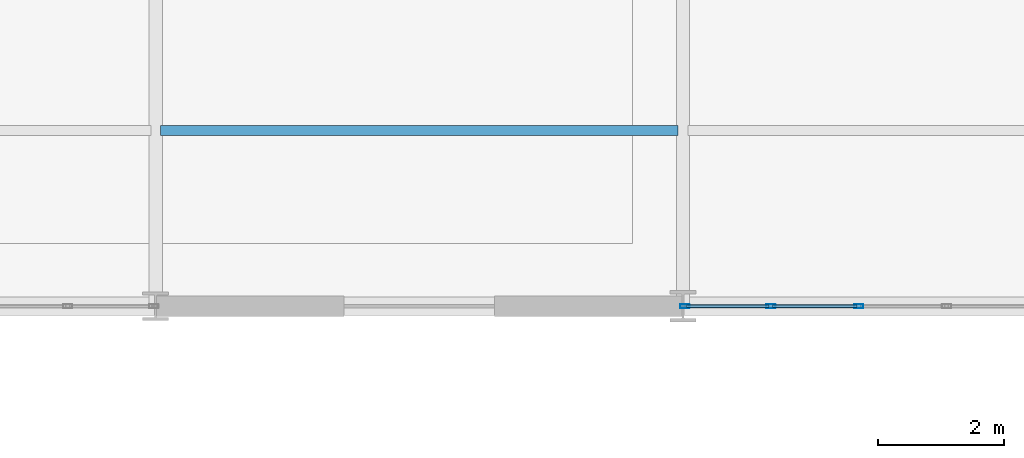
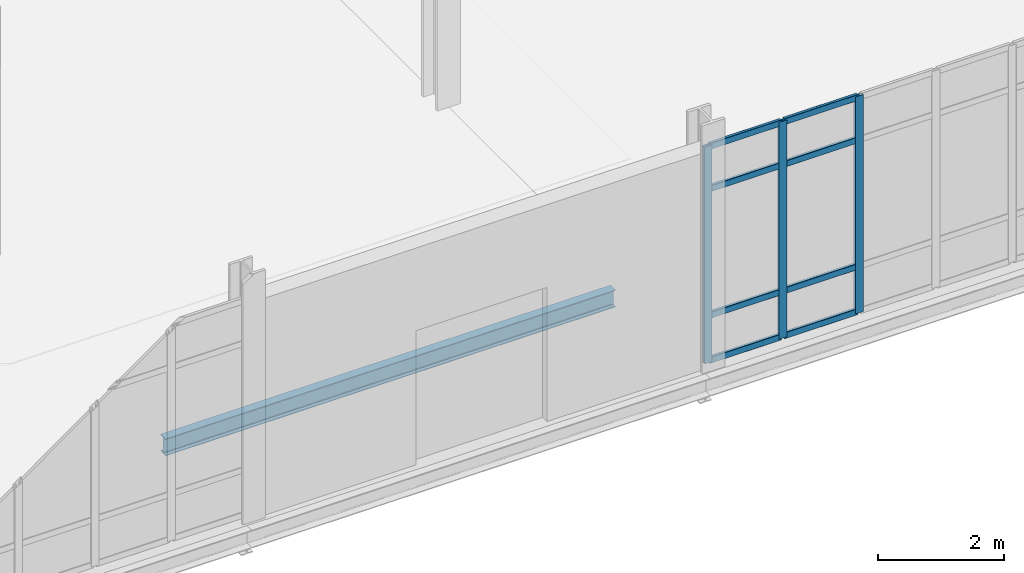
# One storey, part 78 of 145: 11 members, 1 beam, 1 element without a shape of its own.
"""IFC4 building model written with IfcOpenShell, lengths in metres."""

from ifc_helpers import new_model, si_unit, direction, frame, origin, origin_2d, place, context, subcontext, project, spatial, hollow_rectangle, i_section, extrude, material, layer, layer_set, material_profile, profile_set, type_object, element, aggregate, save


model = new_model("IFC4")

# Units and contexts
model_context = context("Model", 3, precision=1e-05, world=origin(), true_north=direction((0.0, 1.0)))
body_context = subcontext(model_context, "Body", "Model", "MODEL_VIEW")
ifc_project = project(units=[si_unit("LENGTHUNIT", "METRE"), si_unit("AREAUNIT", "SQUARE_METRE"), si_unit("VOLUMEUNIT", "CUBIC_METRE"), si_unit("PLANEANGLEUNIT", "RADIAN"), si_unit("MASSUNIT", "GRAM", prefix="KILO")], contexts=[model_context])

# Site, building, storey
site_placement = place(None, origin())
site = spatial("IfcSite", under=ifc_project, at=site_placement, CompositionType="ELEMENT")
building_placement = place(site_placement, origin())
building = spatial("IfcBuilding", under=site, at=building_placement, Name="Qalvenar Corner Mobility Hub", CompositionType="ELEMENT")
storey_placement = place(building_placement, origin())
storey = spatial("IfcBuildingStorey", under=building, at=storey_placement, Name="L00", CompositionType="ELEMENT", Elevation=0.0)

# Beam
ifc_material_1 = material(Name="Steel S355", Category="steel")
ifc_material_profile_1 = material_profile(ifc_material_1, i_section(OverallWidth=0.159912109375, OverallDepth=0.330078125, WebThickness=0.007568359375, FlangeThickness=0.011474609375, FilletRadius=0.01806640625, at=origin_2d()), Name="IPE330")
ifc_profile_set_1 = profile_set([ifc_material_profile_1], Name="Steel S355")
beam_type = type_object("IfcBeamType", Name="BM-JST330", PredefinedType="JOIST", material=ifc_profile_set_1)
beam_placement = place(storey_placement, frame((92.47802734375, 70.0, -0.385009765625), z_axis=(1.0, 0.0, 0.0), x_axis=(0.0, 1.0, 0.0)))
element("IfcBeam", 1, at=beam_placement, inside=storey, type_object=beam_type, Name="Composite Floor Joist J-0693", PredefinedType="JOIST", context=body_context, shape_type="SweptSolid", body=[
    extrude(i_section(OverallWidth=0.159912109375, OverallDepth=0.330078125, WebThickness=0.007568359375, FlangeThickness=0.011474609375, FilletRadius=0.01806640625, at=origin_2d()), origin(), (0.0, 0.0, 1.0), 8.243896484375),
])

# Curtain wall, members
ifc_material_2 = material(Name="Anodised Aluminium and Low-E Glazing", Category="aluminium")
ifc_layer = layer(ifc_material_2, 0.14990234375)
ifc_layer_set = layer_set([ifc_layer], Name="Anodised Aluminium and Low-E Glazing")
curtain_wall_type = type_object("IfcCurtainWallType", Name="CW-MOB-84X46", PredefinedType="NOTDEFINED", material=ifc_layer_set)
curtain_wall_placement = place(storey_placement, origin())
curtain_wall = element("IfcCurtainWall", 2, at=curtain_wall_placement, inside=storey, type_object=curtain_wall_type, Name="Glazed Curtain Wall CW-V4-L00-S5", PredefinedType="NOTDEFINED")
ifc_material_3 = material(Name="Anodised Aluminium 6063-T6", Category="aluminium")
ifc_material_profile_2 = material_profile(ifc_material_3, hollow_rectangle(XDim=0.06005859375, YDim=0.14990234375, WallThickness=0.00390625, InnerFilletRadius=0.00390625, OuterFilletRadius=0.008056640625, at=origin_2d()), Name="RHS150x60x4")
ifc_profile_set_2 = profile_set([ifc_material_profile_2], Name="Anodised Aluminium 6063-T6")
member_type_1 = type_object("IfcMemberType", Name="CW-MUL150", PredefinedType="MULLION", material=ifc_profile_set_2)
member_1_placement = place(storey_placement, frame((100.830078125, 67.199951171875, 0.0), z_axis=(0.0, 0.0, 1.0), x_axis=(0.0, 1.0, 0.0)))
member_1 = element("IfcMember", 3, at=member_1_placement, type_object=member_type_1, Name="CW-03 mullion 1", PredefinedType="MULLION", context=body_context, shape_type="SweptSolid", body=[
    extrude(hollow_rectangle(XDim=0.06005859375, YDim=0.14990234375, WallThickness=0.00390625, InnerFilletRadius=0.00390625, OuterFilletRadius=0.008056640625, at=origin_2d()), origin(), (0.0, 0.0, 1.0), 4.199951171875),
])
member_2_placement = place(storey_placement, frame((102.199951171875, 67.199951171875, 0.0), z_axis=(0.0, 0.0, 1.0), x_axis=(0.0, 1.0, 0.0)))
member_2 = element("IfcMember", 4, at=member_2_placement, type_object=member_type_1, Name="CW-03 mullion 2", PredefinedType="MULLION", context=body_context, shape_type="SweptSolid", body=[
    extrude(hollow_rectangle(XDim=0.06005859375, YDim=0.14990234375, WallThickness=0.00390625, InnerFilletRadius=0.00390625, OuterFilletRadius=0.008056640625, at=origin_2d()), origin(), (0.0, 0.0, 1.0), 4.199951171875),
])
member_3_placement = place(storey_placement, frame((103.60009765625, 67.199951171875, 0.0), z_axis=(0.0, 0.0, 1.0), x_axis=(0.0, 1.0, 0.0)))
member_3 = element("IfcMember", 5, at=member_3_placement, type_object=member_type_1, Name="CW-03 mullion 3", PredefinedType="MULLION", context=body_context, shape_type="SweptSolid", body=[
    extrude(hollow_rectangle(XDim=0.06005859375, YDim=0.14990234375, WallThickness=0.00390625, InnerFilletRadius=0.00390625, OuterFilletRadius=0.008056640625, at=origin_2d()), origin(), (0.0, 0.0, 1.0), 4.199951171875),
])
ifc_material_profile_3 = material_profile(ifc_material_3, hollow_rectangle(XDim=0.054931640625, YDim=0.1201171875, WallThickness=0.00341796875, InnerFilletRadius=0.00341796875, OuterFilletRadius=0.007080078125, at=origin_2d()), Name="RHS120x55x3.5")
ifc_profile_set_3 = profile_set([ifc_material_profile_3], Name="Anodised Aluminium 6063-T6")
member_type_2 = type_object("IfcMemberType", Name="CW-TRN120", PredefinedType="USERDEFINED", material=ifc_profile_set_3)
member_4_placement = place(storey_placement, frame((100.860107421875, 67.199951171875, 0.027587890625), z_axis=(1.0, 0.0, 0.0), x_axis=(0.0, 1.0, 0.0)))
member_4 = element("IfcMember", 6, at=member_4_placement, type_object=member_type_2, Name="CW-03 transom 1.1", ObjectType="TRANSOM", PredefinedType="USERDEFINED", context=body_context, shape_type="SweptSolid", body=[
    extrude(hollow_rectangle(XDim=0.054931640625, YDim=0.1201171875, WallThickness=0.00341796875, InnerFilletRadius=0.00341796875, OuterFilletRadius=0.007080078125, at=origin_2d()), origin(), (0.0, 0.0, 1.0), 1.309814453125),
])
member_5_placement = place(storey_placement, frame((100.860107421875, 67.199951171875, 0.89990234375), z_axis=(1.0, 0.0, 0.0), x_axis=(0.0, 1.0, 0.0)))
member_5 = element("IfcMember", 7, at=member_5_placement, type_object=member_type_2, Name="CW-03 transom 1.2", ObjectType="TRANSOM", PredefinedType="USERDEFINED", context=body_context, shape_type="SweptSolid", body=[
    extrude(hollow_rectangle(XDim=0.054931640625, YDim=0.1201171875, WallThickness=0.00341796875, InnerFilletRadius=0.00341796875, OuterFilletRadius=0.007080078125, at=origin_2d()), origin(), (0.0, 0.0, 1.0), 1.309814453125),
])
member_6_placement = place(storey_placement, frame((100.860107421875, 67.199951171875, 3.35009765625), z_axis=(1.0, 0.0, 0.0), x_axis=(0.0, 1.0, 0.0)))
member_6 = element("IfcMember", 8, at=member_6_placement, type_object=member_type_2, Name="CW-03 transom 1.3", ObjectType="TRANSOM", PredefinedType="USERDEFINED", context=body_context, shape_type="SweptSolid", body=[
    extrude(hollow_rectangle(XDim=0.054931640625, YDim=0.1201171875, WallThickness=0.00341796875, InnerFilletRadius=0.00341796875, OuterFilletRadius=0.007080078125, at=origin_2d()), origin(), (0.0, 0.0, 1.0), 1.309814453125),
])
member_7_placement = place(storey_placement, frame((100.860107421875, 67.199951171875, 4.172607421875), z_axis=(1.0, 0.0, 0.0), x_axis=(0.0, 1.0, 0.0)))
member_7 = element("IfcMember", 9, at=member_7_placement, type_object=member_type_2, Name="CW-03 transom 1.4", ObjectType="TRANSOM", PredefinedType="USERDEFINED", context=body_context, shape_type="SweptSolid", body=[
    extrude(hollow_rectangle(XDim=0.054931640625, YDim=0.1201171875, WallThickness=0.00341796875, InnerFilletRadius=0.00341796875, OuterFilletRadius=0.007080078125, at=origin_2d()), origin(), (0.0, 0.0, 1.0), 1.309814453125),
])
member_8_placement = place(storey_placement, frame((102.22998046875, 67.199951171875, 0.027587890625), z_axis=(1.0, 0.0, 0.0), x_axis=(0.0, 1.0, 0.0)))
member_8 = element("IfcMember", 10, at=member_8_placement, type_object=member_type_2, Name="CW-03 transom 2.1", ObjectType="TRANSOM", PredefinedType="USERDEFINED", context=body_context, shape_type="SweptSolid", body=[
    extrude(hollow_rectangle(XDim=0.054931640625, YDim=0.1201171875, WallThickness=0.00341796875, InnerFilletRadius=0.00341796875, OuterFilletRadius=0.007080078125, at=origin_2d()), origin(), (0.0, 0.0, 1.0), 1.340087890625),
])
member_9_placement = place(storey_placement, frame((102.22998046875, 67.199951171875, 0.89990234375), z_axis=(1.0, 0.0, 0.0), x_axis=(0.0, 1.0, 0.0)))
member_9 = element("IfcMember", 11, at=member_9_placement, type_object=member_type_2, Name="CW-03 transom 2.2", ObjectType="TRANSOM", PredefinedType="USERDEFINED", context=body_context, shape_type="SweptSolid", body=[
    extrude(hollow_rectangle(XDim=0.054931640625, YDim=0.1201171875, WallThickness=0.00341796875, InnerFilletRadius=0.00341796875, OuterFilletRadius=0.007080078125, at=origin_2d()), origin(), (0.0, 0.0, 1.0), 1.340087890625),
])
member_10_placement = place(storey_placement, frame((102.22998046875, 67.199951171875, 3.35009765625), z_axis=(1.0, 0.0, 0.0), x_axis=(0.0, 1.0, 0.0)))
member_10 = element("IfcMember", 12, at=member_10_placement, type_object=member_type_2, Name="CW-03 transom 2.3", ObjectType="TRANSOM", PredefinedType="USERDEFINED", context=body_context, shape_type="SweptSolid", body=[
    extrude(hollow_rectangle(XDim=0.054931640625, YDim=0.1201171875, WallThickness=0.00341796875, InnerFilletRadius=0.00341796875, OuterFilletRadius=0.007080078125, at=origin_2d()), origin(), (0.0, 0.0, 1.0), 1.340087890625),
])
member_11_placement = place(storey_placement, frame((102.22998046875, 67.199951171875, 4.172607421875), z_axis=(1.0, 0.0, 0.0), x_axis=(0.0, 1.0, 0.0)))
member_11 = element("IfcMember", 13, at=member_11_placement, type_object=member_type_2, Name="CW-03 transom 2.4", ObjectType="TRANSOM", PredefinedType="USERDEFINED", context=body_context, shape_type="SweptSolid", body=[
    extrude(hollow_rectangle(XDim=0.054931640625, YDim=0.1201171875, WallThickness=0.00341796875, InnerFilletRadius=0.00341796875, OuterFilletRadius=0.007080078125, at=origin_2d()), origin(), (0.0, 0.0, 1.0), 1.340087890625),
])
aggregate(curtain_wall, [member_1, member_2, member_3, member_4, member_5, member_6, member_7, member_8, member_9, member_10, member_11])

save(model, "model.ifc")
